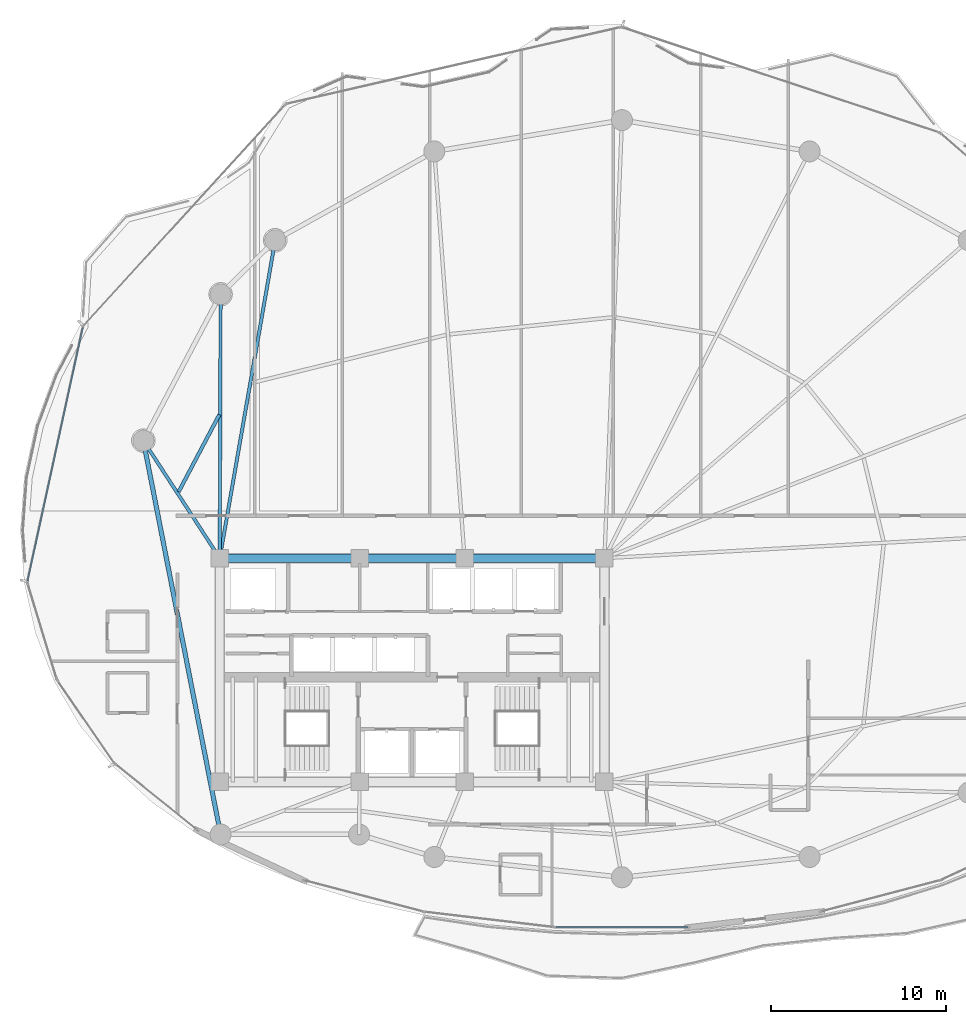
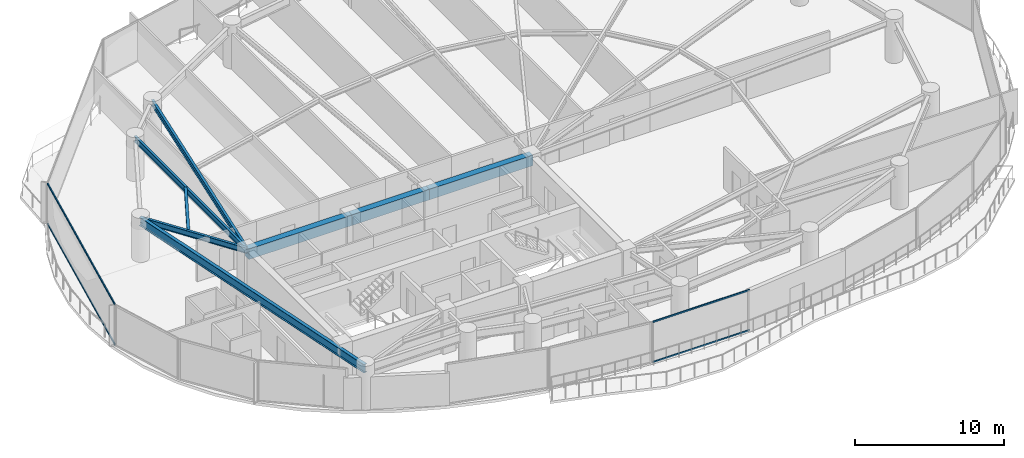
# One storey, part 9 of 34: 8 beams, 4 members, 2 elements without a shape of their own.
"""IFC4 building model written with IfcOpenShell, lengths in metres."""

from ifc_helpers import new_model, si_unit, direction, frame, origin, origin_2d, place, context, subcontext, project, spatial, rectangle, hollow_rectangle, i_section, extrude, material, layer, layer_set, material_profile, profile_set, type_object, element, aggregate, save


model = new_model("IFC4")

# Units and contexts
model_context = context("Model", 3, precision=1e-05, world=origin(), true_north=direction((0.0, 1.0)))
body_context = subcontext(model_context, "Body", "Model", "MODEL_VIEW")
ifc_project = project(units=[si_unit("LENGTHUNIT", "METRE"), si_unit("AREAUNIT", "SQUARE_METRE"), si_unit("VOLUMEUNIT", "CUBIC_METRE"), si_unit("PLANEANGLEUNIT", "RADIAN"), si_unit("MASSUNIT", "GRAM", prefix="KILO")], contexts=[model_context])

# Site, building, storey
site_placement = place(None, origin())
site = spatial("IfcSite", under=ifc_project, at=site_placement, CompositionType="ELEMENT")
building_placement = place(site_placement, origin())
building = spatial("IfcBuilding", under=site, at=building_placement, Name="Kazevale Care Tower and Concert Hall", CompositionType="ELEMENT")
storey_placement = place(building_placement, frame((0.0, 0.0, 156.60009765625)))
storey = spatial("IfcBuildingStorey", under=building, at=storey_placement, Name="L41", CompositionType="ELEMENT", Elevation=156.60009765625)

# Curtain wall, members
ifc_material_1 = material(Name="Aluminium 6063-T6 and Low-E Glass", Category="aluminium")
ifc_layer_1 = layer(ifc_material_1, 0.179931640625)
ifc_layer_set_1 = layer_set([ifc_layer_1], Name="Aluminium 6063-T6 and Low-E Glass")
curtain_wall_type_1 = type_object("IfcCurtainWallType", Name="Waist & Upper Residential Curtain Wall CW-4", PredefinedType="NOTDEFINED", material=ifc_layer_set_1)
curtain_wall_1_placement = place(storey_placement, origin())
curtain_wall_1 = element("IfcCurtainWall", 1, at=curtain_wall_1_placement, inside=storey, type_object=curtain_wall_type_1, Name="cw:L41:f13", PredefinedType="NOTDEFINED")
ifc_material_2 = material(Name="Aluminium 6063-T6", Category="aluminium")
ifc_material_profile_1 = material_profile(ifc_material_2, hollow_rectangle(XDim=0.080078125, YDim=0.139892578125, WallThickness=0.00390625, at=origin_2d()), Name="ALU80x140x4")
ifc_profile_set_1 = profile_set([ifc_material_profile_1], Name="Aluminium 6063-T6")
member_type_1 = type_object("IfcMemberType", Name="CW-4 Transom ALU80x140x4", PredefinedType="USERDEFINED", material=ifc_profile_set_1)
member_1_placement = place(storey_placement, frame((11.011962890625, 35.10205078125, 0.039794921875), z_axis=(0.212825500876, 0.977090224174, 0.0), x_axis=(-0.977090224174, 0.212825500876, 0.0)))
member_1 = element("IfcMember", 2, at=member_1_placement, type_object=member_type_1, Name="CW-4 transom 1.1", ObjectType="TRANSOM", PredefinedType="USERDEFINED", context=body_context, shape_type="SweptSolid", body=[
    extrude(hollow_rectangle(XDim=0.080078125, YDim=0.139892578125, WallThickness=0.00390625, at=origin_2d()), origin(), (0.0, 0.0, 1.0), 14.824462890625),
])
member_2_placement = place(storey_placement, frame((11.011962890625, 35.10205078125, 3.31982421875), z_axis=(0.212825500876, 0.977090224174, 0.0), x_axis=(-0.977090224174, 0.212825500876, 0.0)))
member_2 = element("IfcMember", 3, at=member_2_placement, type_object=member_type_1, Name="CW-4 transom 1.2", ObjectType="TRANSOM", PredefinedType="USERDEFINED", context=body_context, shape_type="SweptSolid", body=[
    extrude(hollow_rectangle(XDim=0.080078125, YDim=0.139892578125, WallThickness=0.00390625, at=origin_2d()), origin(), (0.0, 0.0, 1.0), 14.824462890625),
])
aggregate(curtain_wall_1, [member_1, member_2])

ifc_layer_2 = layer(ifc_material_1, 0.179931640625)
ifc_layer_set_2 = layer_set([ifc_layer_2], Name="Aluminium 6063-T6 and Low-E Glass")
curtain_wall_type_2 = type_object("IfcCurtainWallType", Name="Sheltered Concave Balcony Curtain Wall CW-5", PredefinedType="NOTDEFINED", material=ifc_layer_set_2)
curtain_wall_2_placement = place(storey_placement, origin())
curtain_wall_2 = element("IfcCurtainWall", 4, at=curtain_wall_2_placement, inside=storey, type_object=curtain_wall_type_2, Name="cw:L41:f06", PredefinedType="NOTDEFINED")
ifc_material_profile_2 = material_profile(ifc_material_2, hollow_rectangle(XDim=0.074951171875, YDim=0.1201171875, WallThickness=0.00390625, at=origin_2d()), Name="ALU75x120x4")
ifc_profile_set_2 = profile_set([ifc_material_profile_2], Name="Aluminium 6063-T6")
member_type_2 = type_object("IfcMemberType", Name="CW-5 Transom ALU75x120x4", PredefinedType="USERDEFINED", material=ifc_profile_set_2)
member_3_placement = place(storey_placement, frame((48.76611328125, 15.2890625, 0.037353515625), z_axis=(-1.0, 0.0, 0.0), x_axis=(0.0, -1.0, 0.0)))
member_3 = element("IfcMember", 5, at=member_3_placement, type_object=member_type_2, Name="CW-5 transom 1.1", ObjectType="TRANSOM", PredefinedType="USERDEFINED", context=body_context, shape_type="SweptSolid", body=[
    extrude(hollow_rectangle(XDim=0.074951171875, YDim=0.1201171875, WallThickness=0.00390625, at=origin_2d()), origin(), (0.0, 0.0, 1.0), 7.5322265625),
])
member_4_placement = place(storey_placement, frame((48.76611328125, 15.2890625, 3.322509765625), z_axis=(-1.0, 0.0, 0.0), x_axis=(0.0, -1.0, 0.0)))
member_4 = element("IfcMember", 6, at=member_4_placement, type_object=member_type_2, Name="CW-5 transom 1.2", ObjectType="TRANSOM", PredefinedType="USERDEFINED", context=body_context, shape_type="SweptSolid", body=[
    extrude(hollow_rectangle(XDim=0.074951171875, YDim=0.1201171875, WallThickness=0.00390625, at=origin_2d()), origin(), (0.0, 0.0, 1.0), 7.5322265625),
])
aggregate(curtain_wall_2, [member_3, member_4])

# Beams
ifc_material_3 = material(Name="Concrete C60", Category="concrete")
ifc_material_profile_3 = material_profile(ifc_material_3, rectangle(XDim=0.5, YDim=0.85009765625, at=origin_2d()), Name="RC-B500x850")
ifc_profile_set_3 = profile_set([ifc_material_profile_3], Name="Concrete C60")
beam_type_1 = type_object("IfcBeamType", Name="Core Coupling Beam RC500x850", PredefinedType="LINTEL", material=ifc_profile_set_3)
beam_1_placement = place(storey_placement, frame((44.0, 36.39990234375, 2.934814453125), z_axis=(-1.0, 0.0, 0.0), x_axis=(0.0, -1.0, 0.0)))
element("IfcBeam", 7, at=beam_1_placement, inside=storey, type_object=beam_type_1, Name="beam:L41:coretie:5", PredefinedType="LINTEL", context=body_context, shape_type="SweptSolid", body=[
    extrude(rectangle(XDim=0.5, YDim=0.85009765625, at=origin_2d()), origin(), (0.0, 0.0, 1.0), 8.0),
])
beam_2_placement = place(storey_placement, frame((36.0, 36.39990234375, 2.934814453125), z_axis=(-1.0, 0.0, 0.0), x_axis=(0.0, -1.0, 0.0)))
element("IfcBeam", 8, at=beam_2_placement, inside=storey, type_object=beam_type_1, Name="beam:L41:coretie:6", PredefinedType="LINTEL", context=body_context, shape_type="SweptSolid", body=[
    extrude(rectangle(XDim=0.5, YDim=0.85009765625, at=origin_2d()), origin(), (0.0, 0.0, 1.0), 6.0),
])
beam_3_placement = place(storey_placement, frame((30.0, 36.39990234375, 2.934814453125), z_axis=(-1.0, 0.0, 0.0), x_axis=(0.0, -1.0, 0.0)))
element("IfcBeam", 9, at=beam_3_placement, inside=storey, type_object=beam_type_1, Name="beam:L41:coretie:7", PredefinedType="LINTEL", context=body_context, shape_type="SweptSolid", body=[
    extrude(rectangle(XDim=0.5, YDim=0.85009765625, at=origin_2d()), origin(), (0.0, 0.0, 1.0), 8.0),
])
ifc_material_4 = material(Name="Steel ASTM A572 Gr 50", Category="steel")
ifc_material_profile_4 = material_profile(ifc_material_4, i_section(OverallWidth=0.19091796875, OverallDepth=0.4599609375, WebThickness=0.010009765625, FlangeThickness=0.01611328125, at=origin_2d()), Name="W460x82")
ifc_profile_set_4 = profile_set([ifc_material_profile_4], Name="Steel ASTM A572 Gr 50")
beam_type_2 = type_object("IfcBeamType", Name="Radial Floor Beam W460x82", PredefinedType="BEAM", material=ifc_profile_set_4)
beam_4_placement = place(storey_placement, frame((22.0, 36.39990234375, 3.1298828125), z_axis=(0.171769935245, 0.985137091651, 0.0), x_axis=(-0.985137091651, 0.171769935245, 0.0)))
element("IfcBeam", 10, at=beam_4_placement, inside=storey, type_object=beam_type_2, Name="beam:L41:rad:07", PredefinedType="BEAM", context=body_context, shape_type="SweptSolid", body=[
    extrude(i_section(OverallWidth=0.19091796875, OverallDepth=0.4599609375, WebThickness=0.010009765625, FlangeThickness=0.01611328125, at=origin_2d()), origin(), (0.0, 0.0, 1.0), 18.454345703125),
])
beam_5_placement = place(storey_placement, frame((22.0, 36.39990234375, 3.1298828125), z_axis=(0.003316650851, 0.999994499898, 0.0), x_axis=(-0.999994499898, 0.003316650851, 0.0)))
element("IfcBeam", 11, at=beam_5_placement, inside=storey, type_object=beam_type_2, Name="beam:L41:rad:08", PredefinedType="BEAM", context=body_context, shape_type="SweptSolid", body=[
    extrude(i_section(OverallWidth=0.19091796875, OverallDepth=0.4599609375, WebThickness=0.010009765625, FlangeThickness=0.01611328125, at=origin_2d()), origin(), (0.0, 0.0, 1.0), 15.090087890625),
])
beam_6_placement = place(storey_placement, frame((22.0, 36.39990234375, 3.1298828125), z_axis=(-0.5451617613, 0.83833087383, 0.0), x_axis=(-0.83833087383, -0.5451617613, 0.0)))
element("IfcBeam", 12, at=beam_6_placement, inside=storey, type_object=beam_type_2, Name="beam:L41:rad:09", PredefinedType="BEAM", context=body_context, shape_type="SweptSolid", body=[
    extrude(i_section(OverallWidth=0.19091796875, OverallDepth=0.4599609375, WebThickness=0.010009765625, FlangeThickness=0.01611328125, at=origin_2d()), origin(), (0.0, 0.0, 1.0), 8.01611328125),
])
ifc_material_profile_5 = material_profile(ifc_material_4, i_section(OverallWidth=0.205078125, OverallDepth=0.35400390625, WebThickness=0.009521484375, FlangeThickness=0.016845703125, at=origin_2d()), Name="W360x79")
ifc_profile_set_5 = profile_set([ifc_material_profile_5], Name="Steel ASTM A572 Gr 50")
beam_type_3 = type_object("IfcBeamType", Name="Secondary Floor Joist W360x79", PredefinedType="JOIST", material=ifc_profile_set_5)
beam_7_placement = place(storey_placement, frame((21.97802734375, 44.60693359375, 3.182861328125), z_axis=(-0.466809583155, -0.884357853515, 0.0), x_axis=(0.884357853515, -0.466809583155, 0.0)))
element("IfcBeam", 13, at=beam_7_placement, inside=storey, type_object=beam_type_3, Name="beam:L41:joist:08", PredefinedType="JOIST", context=body_context, shape_type="SweptSolid", body=[
    extrude(i_section(OverallWidth=0.205078125, OverallDepth=0.35400390625, WebThickness=0.009521484375, FlangeThickness=0.016845703125, at=origin_2d()), origin(), (0.0, 0.0, 1.0), 4.99560546875),
])
ifc_material_profile_6 = material_profile(ifc_material_4, i_section(OverallWidth=0.256103515625, OverallDepth=0.693115234375, WebThickness=0.014404296875, FlangeThickness=0.023681640625, at=origin_2d()), Name="W690x170")
ifc_profile_set_6 = profile_set([ifc_material_profile_6], Name="Steel ASTM A572 Gr 50")
beam_type_4 = type_object("IfcBeamType", Name="Waist Ring Beam W690x170", PredefinedType="BEAM", material=ifc_profile_set_6)
beam_8_placement = place(storey_placement, frame((17.6298828125, 43.1201171875, 3.013427734375), z_axis=(0.192602267784, -0.9812769061, 0.0), x_axis=(0.9812769061, 0.192602267784, 0.0)))
element("IfcBeam", 14, at=beam_8_placement, inside=storey, type_object=beam_type_4, Name="beam:L41:ring:09", PredefinedType="BEAM", context=body_context, shape_type="SweptSolid", body=[
    extrude(i_section(OverallWidth=0.256103515625, OverallDepth=0.693115234375, WebThickness=0.014404296875, FlangeThickness=0.023681640625, at=origin_2d()), origin(), (0.0, 0.0, 1.0), 22.94970703125),
])

save(model, "model.ifc")
